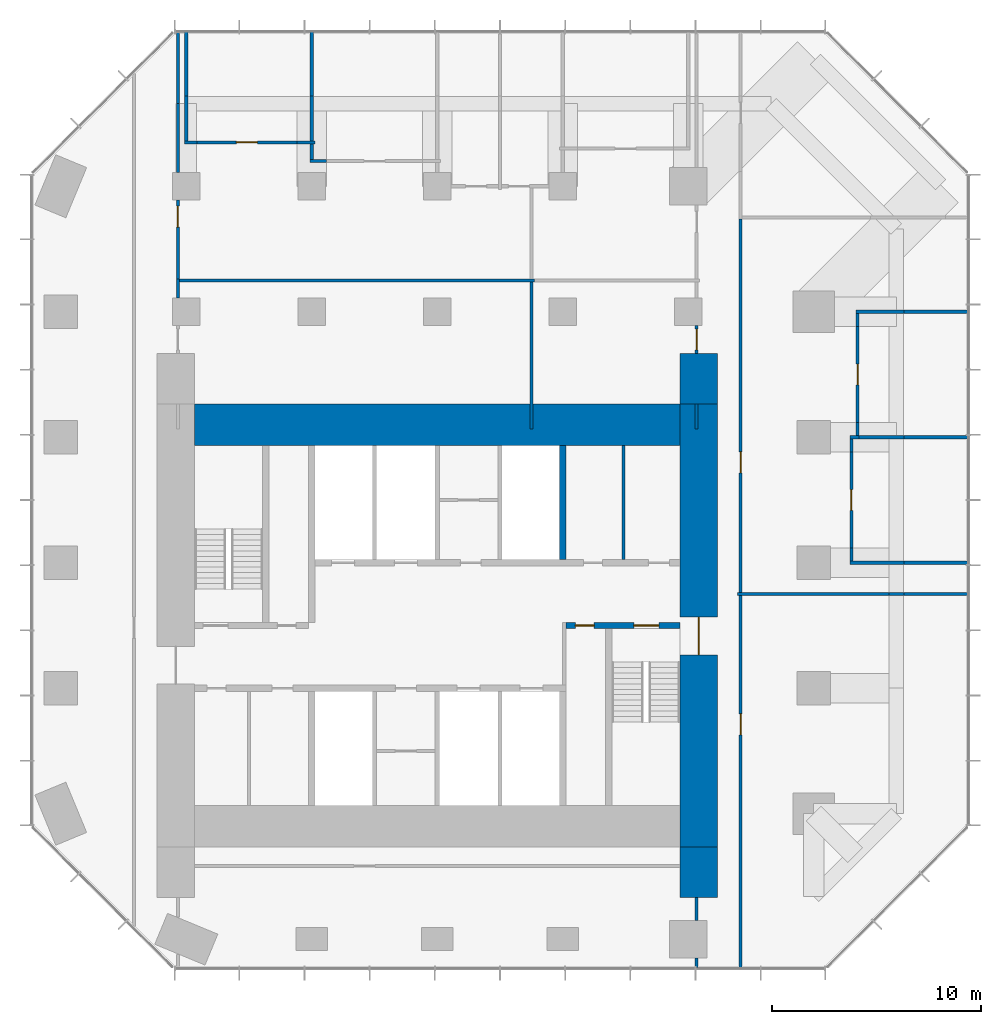
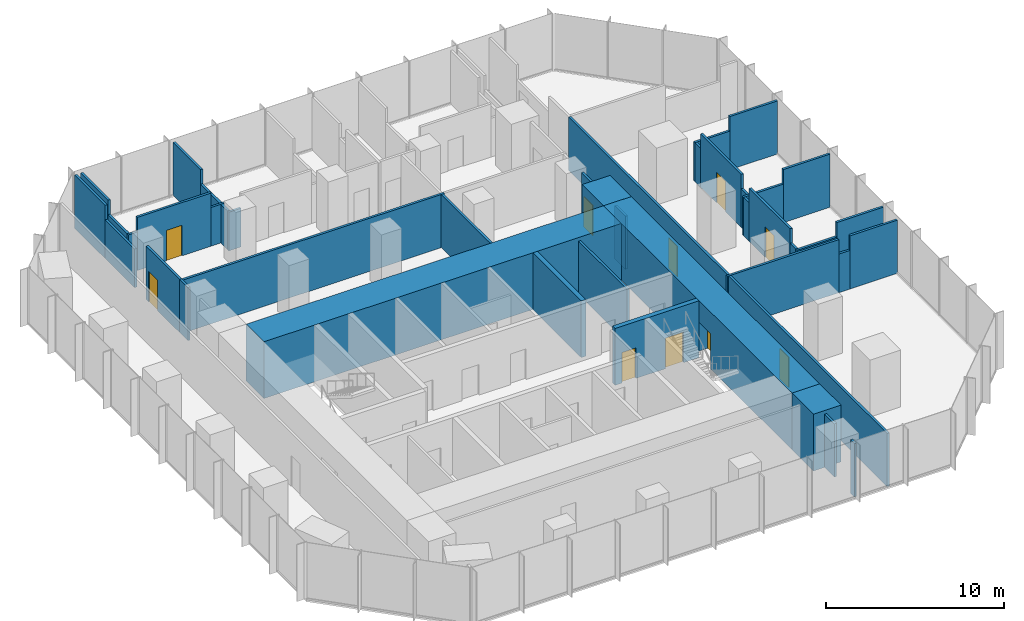
# One storey, part 9 of 11: 44 walls, 10 doors, 10 openings.
"""IFC4 building model written with IfcOpenShell, lengths in metres."""

from ifc_helpers import new_model, si_unit, direction, frame, frame_2d, origin, place, context, subcontext, project, spatial, rectangle, extrude, material, layer, layer_set, type_object, element, fill, save


model = new_model("IFC4")

# Units and contexts
model_context = context("Model", 3, precision=1e-05, world=origin(), true_north=direction((0.0, 1.0)))
body_context = subcontext(model_context, "Body", "Model", "MODEL_VIEW")
ifc_project = project(units=[si_unit("LENGTHUNIT", "METRE"), si_unit("AREAUNIT", "SQUARE_METRE"), si_unit("VOLUMEUNIT", "CUBIC_METRE"), si_unit("PLANEANGLEUNIT", "RADIAN"), si_unit("MASSUNIT", "GRAM", prefix="KILO")], contexts=[model_context])

# Site, building, storey
site_placement = place(None, origin())
site = spatial("IfcSite", under=ifc_project, at=site_placement, CompositionType="ELEMENT")
building_placement = place(site_placement, origin())
building = spatial("IfcBuilding", under=site, at=building_placement, Name="Highveld Stack Headquarters", CompositionType="ELEMENT")
storey_placement = place(building_placement, frame((0.0, 0.0, 181.10009765625)))
storey = spatial("IfcBuildingStorey", under=building, at=storey_placement, Name="L44", CompositionType="ELEMENT", Elevation=181.10009765625)

# Wall, opening, door
ifc_material_1 = material(Name="Concrete C60/75", Category="concrete")
ifc_layer_1 = layer(ifc_material_1, 1.800048828125)
ifc_layer_set_1 = layer_set([ifc_layer_1], Name="Concrete C60/75")
wall_type_1 = type_object("IfcWallType", Name="CORE WALL 1800 C60/75", PredefinedType="SHEAR", material=ifc_layer_set_1)
wall_1_placement = place(storey_placement, frame((18.5, -7.60009765625, 0.0), z_axis=(0.0, 0.0, 1.0), x_axis=(0.0, 1.0, 0.0)))
wall_1 = element("IfcWall", 1, at=wall_1_placement, inside=storey, type_object=wall_type_1, Name="Core wall E L44", PredefinedType="SHEAR", context=body_context, shape_type="SweptSolid", body=[
    extrude(rectangle(XDim=21.2001953125, YDim=1.800048828125, at=frame_2d((10.60009765625, 0.0))), origin(), (0.0, 0.0, 1.0), 3.89990234375),
])
opening_1_placement = place(wall_1_placement, frame((9.199951171875, 0.0, 0.0)))
opening_1 = element("IfcOpeningElement", 2, at=opening_1_placement, cuts=wall_1, Name="Opening L44-02", PredefinedType="OPENING", context=body_context, shape_type="SweptSolid", body=[
    extrude(rectangle(XDim=1.800048828125, YDim=2.39990234375, at=frame_2d((0.89990234375, 1.199951171875))), frame((0.0, 0.909912109375, 0.0), z_axis=(0.0, -1.0, 0.0), x_axis=(1.0, 0.0, 0.0)), (0.0, 0.0, 1.0), 1.820068359375),
])
ifc_material_2 = material(Name="Steel fire door", Category="steel")
door_type_1 = type_object("IfcDoorType", Name="LOBBY FIRE DOOR D4 1800x2400", OperationType="DOUBLE_DOOR_SINGLE_SWING", PredefinedType="DOOR", material=ifc_material_2)
door_1_placement = place(opening_1_placement, origin())
door_1 = element("IfcDoor", 3, at=door_1_placement, inside=storey, type_object=door_type_1, Name="Core east door L44", OperationType="DOUBLE_DOOR_SINGLE_SWING", OverallHeight=2.39990234375, OverallWidth=1.800048828125, PredefinedType="DOOR", context=body_context, shape_type="SweptSolid", body=[
    extrude(rectangle(XDim=1.800048828125, YDim=2.39990234375, at=frame_2d((0.89990234375, 1.199951171875))), frame((0.0, 0.02490234375, 0.0), z_axis=(0.0, -1.0, 0.0), x_axis=(1.0, 0.0, 0.0)), (0.0, 0.0, 1.0), 0.050048828125),
])
fill(opening_1, door_1)

# Wall
ifc_material_3 = material(Name="Concrete C60/75", Category="concrete")
ifc_layer_2 = layer(ifc_material_3, 2.0)
ifc_layer_set_2 = layer_set([ifc_layer_2], Name="Concrete C60/75")
wall_type_2 = type_object("IfcWallType", Name="CORE WALL 2000 C60/75", PredefinedType="SHEAR", material=ifc_layer_set_2)
wall_2_placement = place(storey_placement, frame((-5.60009765625, 12.60009765625, 0.0), z_axis=(0.0, 0.0, 1.0), x_axis=(1.0, 0.0, 0.0)))
element("IfcWall", 4, at=wall_2_placement, inside=storey, type_object=wall_type_2, Name="Core wall N L44", PredefinedType="SHEAR", context=body_context, shape_type="SweptSolid", body=[
    extrude(rectangle(XDim=23.2001953125, YDim=2.0, at=frame_2d((11.60009765625, 0.0))), origin(), (0.0, 0.0, 1.0), 3.89990234375),
])

# Wall, openings, doors
ifc_material_4 = material(Name="Concrete C60/75", Category="concrete")
ifc_layer_3 = layer(ifc_material_4, 0.300048828125)
ifc_layer_set_3 = layer_set([ifc_layer_3], Name="Concrete C60/75")
wall_type_3 = type_object("IfcWallType", Name="CORE WALL 300 C60/75", PredefinedType="SHEAR", material=ifc_layer_set_3)
wall_3_placement = place(storey_placement, frame((12.14990234375, 3.0, 0.0), z_axis=(0.0, 0.0, 1.0), x_axis=(1.0, 0.0, 0.0)))
wall_3 = element("IfcWall", 5, at=wall_3_placement, inside=storey, type_object=wall_type_3, Name="Core wall I-Y3E L44", PredefinedType="SHEAR", context=body_context, shape_type="SweptSolid", body=[
    extrude(rectangle(XDim=5.4501953125, YDim=0.300048828125, at=frame_2d((2.72509765625, 0.0))), origin(), (0.0, 0.0, 1.0), 3.89990234375),
])
opening_2_placement = place(wall_3_placement, frame((3.25, 0.0, 0.0)))
opening_2 = element("IfcOpeningElement", 6, at=opening_2_placement, cuts=wall_3, Name="Opening L44-05", PredefinedType="OPENING", context=body_context, shape_type="SweptSolid", body=[
    extrude(rectangle(XDim=1.199951171875, YDim=2.10009765625, at=frame_2d((0.60009765625, 1.050048828125))), frame((0.0, 0.159912109375, 0.0), z_axis=(0.0, -1.0, 0.0), x_axis=(1.0, 0.0, 0.0)), (0.0, 0.0, 1.0), 0.320068359375),
])
opening_3_placement = place(wall_3_placement, frame((0.449951171875, 0.0, 0.0)))
opening_3 = element("IfcOpeningElement", 7, at=opening_3_placement, cuts=wall_3, Name="Opening L44-06", PredefinedType="OPENING", context=body_context, shape_type="SweptSolid", body=[
    extrude(rectangle(XDim=0.89990234375, YDim=2.10009765625, at=frame_2d((0.449951171875, 1.050048828125))), frame((0.0, 0.159912109375, 0.0), z_axis=(0.0, -1.0, 0.0), x_axis=(1.0, 0.0, 0.0)), (0.0, 0.0, 1.0), 0.320068359375),
])
ifc_material_5 = material(Name="Steel fire door", Category="steel")
door_type_2 = type_object("IfcDoorType", Name="RISER ACCESS DOOR D5 900x2100", OperationType="SINGLE_SWING_LEFT", PredefinedType="DOOR", material=ifc_material_5)
door_2_placement = place(opening_3_placement, origin())
door_2 = element("IfcDoor", 8, at=door_2_placement, inside=storey, type_object=door_type_2, Name="Riser R2 door L44", OperationType="SINGLE_SWING_LEFT", OverallHeight=2.10009765625, OverallWidth=0.89990234375, PredefinedType="DOOR", context=body_context, shape_type="SweptSolid", body=[
    extrude(rectangle(XDim=0.89990234375, YDim=2.10009765625, at=frame_2d((0.449951171875, 1.050048828125))), frame((0.0, 0.02490234375, 0.0), z_axis=(0.0, -1.0, 0.0), x_axis=(1.0, 0.0, 0.0)), (0.0, 0.0, 1.0), 0.050048828125),
])
fill(opening_3, door_2)
ifc_material_6 = material(Name="Steel fire door", Category="steel")
door_type_3 = type_object("IfcDoorType", Name="STAIR FIRE DOOR D3 1200x2100", OperationType="SINGLE_SWING_LEFT", PredefinedType="DOOR", material=ifc_material_6)
door_3_placement = place(opening_2_placement, origin())
door_3 = element("IfcDoor", 9, at=door_3_placement, inside=storey, type_object=door_type_3, Name="Stair S2 door L44", OperationType="SINGLE_SWING_RIGHT", OverallHeight=2.10009765625, OverallWidth=1.199951171875, PredefinedType="DOOR", context=body_context, shape_type="SweptSolid", body=[
    extrude(rectangle(XDim=1.199951171875, YDim=2.10009765625, at=frame_2d((0.60009765625, 1.050048828125))), frame((0.0, 0.02490234375, 0.0), z_axis=(0.0, -1.0, 0.0), x_axis=(1.0, 0.0, 0.0)), (0.0, 0.0, 1.0), 0.050048828125),
])
fill(opening_2, door_3)

# Walls
wall_4_placement = place(storey_placement, frame((12.0, 6.14990234375, 0.0), z_axis=(0.0, 0.0, 1.0), x_axis=(0.0, 1.0, 0.0)))
element("IfcWall", 10, at=wall_4_placement, inside=storey, type_object=wall_type_3, Name="Core wall I-X12N L44", PredefinedType="SHEAR", context=body_context, shape_type="SweptSolid", body=[
    extrude(rectangle(XDim=5.4501953125, YDim=0.300048828125, at=frame_2d((2.72509765625, 0.0))), origin(), (0.0, 0.0, 1.0), 3.89990234375),
])
ifc_material_7 = material(Name="Concrete C60/75", Category="concrete")
ifc_layer_4 = layer(ifc_material_7, 1.800048828125)
ifc_layer_set_4 = layer_set([ifc_layer_4], Name="Concrete C60/75")
wall_type_4 = type_object("IfcWallType", Name="CORE WING WALL 1800 C60/75", PredefinedType="SHEAR", material=ifc_layer_set_4)
for number, where, z_axis, x_axis, name in (
    (11, (18.5, -10.0, 0.0), (0.0, 0.0, 1.0), (0.0, 1.0, 0.0), "Core wing wall ES L44"),
    (12, (18.5, 13.60009765625, 0.0), (0.0, 0.0, 1.0), (0.0, 1.0, 0.0), "Core wing wall EN L44"),
):
    element("IfcWall", number, at=place(storey_placement, frame(where, z_axis=z_axis, x_axis=x_axis)), inside=storey, type_object=wall_type_4, Name=name, PredefinedType="SHEAR", context=body_context, shape_type="SweptSolid", body=[
        extrude(rectangle(XDim=2.39990234375, YDim=1.800048828125, at=frame_2d((1.199951171875, 0.0))), origin(), (0.0, 0.0, 1.0), 3.89990234375),
    ])
ifc_material_8 = material(Name="Gypsum plasterboard on steel studs", Category="steel")
ifc_layer_5 = layer(ifc_material_8, 0.14990234375)
ifc_layer_set_5 = layer_set([ifc_layer_5], Name="Gypsum plasterboard on steel studs")
wall_type_5 = type_object("IfcWallType", Name="PARTITION 150 PLASTERBOARD", PredefinedType="PARTITIONING", material=ifc_layer_set_5)
wall_5_placement = place(storey_placement, frame((25.72509765625, 6.0, 0.0), z_axis=(0.0, 0.0, 1.0), x_axis=(1.0, 0.0, 0.0)))
element("IfcWall", 13, at=wall_5_placement, inside=storey, type_object=wall_type_5, Name="Partition Print room L44", PredefinedType="PARTITIONING", context=body_context, shape_type="SweptSolid", body=[
    extrude(rectangle(XDim=2.5849609375, YDim=0.14990234375, at=frame_2d((1.29248046875, 0.0))), origin(), (0.0, 0.0, 1.0), 2.64990234375),
])
wall_6_placement = place(storey_placement, frame((28.31005859375, 6.0, 0.0), z_axis=(0.0, 0.0, 1.0), x_axis=(1.0, 0.0, 0.0)))
element("IfcWall", 14, at=wall_6_placement, inside=storey, type_object=wall_type_5, Name="Partition Print room L44", PredefinedType="PARTITIONING", context=body_context, shape_type="SweptSolid", body=[
    extrude(rectangle(XDim=3.0400390625, YDim=0.14990234375, at=frame_2d((1.52001953125, 0.0))), origin(), (0.0, 0.0, 1.0), 3.64990234375),
])
wall_7_placement = place(storey_placement, frame((25.72509765625, 12.0, 0.0), z_axis=(0.0, 0.0, 1.0), x_axis=(1.0, 0.0, 0.0)))
element("IfcWall", 15, at=wall_7_placement, inside=storey, type_object=wall_type_5, Name="Partition Print room L44", PredefinedType="PARTITIONING", context=body_context, shape_type="SweptSolid", body=[
    extrude(rectangle(XDim=0.449951171875, YDim=0.14990234375, at=frame_2d((0.22509765625, 0.0))), origin(), (0.0, 0.0, 1.0), 2.64990234375),
])
wall_8_placement = place(storey_placement, frame((26.10009765625, 12.0, 0.0), z_axis=(0.0, 0.0, 1.0), x_axis=(1.0, 0.0, 0.0)))
element("IfcWall", 16, at=wall_8_placement, inside=storey, type_object=wall_type_5, Name="Partition Focus room / Print room L44", PredefinedType="PARTITIONING", context=body_context, shape_type="SweptSolid", body=[
    extrude(rectangle(XDim=2.2099609375, YDim=0.14990234375, at=frame_2d((1.10498046875, 0.0))), origin(), (0.0, 0.0, 1.0), 2.64990234375),
])
wall_9_placement = place(storey_placement, frame((28.31005859375, 12.0, 0.0), z_axis=(0.0, 0.0, 1.0), x_axis=(1.0, 0.0, 0.0)))
element("IfcWall", 17, at=wall_9_placement, inside=storey, type_object=wall_type_5, Name="Partition Focus room / Print room L44", PredefinedType="PARTITIONING", context=body_context, shape_type="SweptSolid", body=[
    extrude(rectangle(XDim=3.0400390625, YDim=0.14990234375, at=frame_2d((1.52001953125, 0.0))), origin(), (0.0, 0.0, 1.0), 3.64990234375),
])
wall_10_placement = place(storey_placement, frame((26.02490234375, 18.0, 0.0), z_axis=(0.0, 0.0, 1.0), x_axis=(1.0, 0.0, 0.0)))
element("IfcWall", 18, at=wall_10_placement, inside=storey, type_object=wall_type_5, Name="Partition Focus room L44", PredefinedType="PARTITIONING", context=body_context, shape_type="SweptSolid", body=[
    extrude(rectangle(XDim=2.28515625, YDim=0.14990234375, at=frame_2d((1.142578125, 0.0))), origin(), (0.0, 0.0, 1.0), 2.64990234375),
])
wall_11_placement = place(storey_placement, frame((28.31005859375, 18.0, 0.0), z_axis=(0.0, 0.0, 1.0), x_axis=(1.0, 0.0, 0.0)))
element("IfcWall", 19, at=wall_11_placement, inside=storey, type_object=wall_type_5, Name="Partition Focus room L44", PredefinedType="PARTITIONING", context=body_context, shape_type="SweptSolid", body=[
    extrude(rectangle(XDim=3.08984375, YDim=0.14990234375, at=frame_2d((1.544921875, 0.0))), origin(), (0.0, 0.0, 1.0), 3.64990234375),
])
wall_12_placement = place(storey_placement, frame((-0.074951171875, 25.199951171875, 0.0), z_axis=(0.0, 0.0, 1.0), x_axis=(1.0, 0.0, 0.0)))
element("IfcWall", 20, at=wall_12_placement, inside=storey, type_object=wall_type_5, Name="Partition Tea kitchen L44", PredefinedType="PARTITIONING", context=body_context, shape_type="SweptSolid", body=[
    extrude(rectangle(XDim=0.784912109375, YDim=0.14990234375, at=frame_2d((0.392578125, 0.0))), origin(), (0.0, 0.0, 1.0), 2.64990234375),
])
wall_13_placement = place(storey_placement, frame((-6.074951171875, 26.10009765625, 0.0), z_axis=(0.0, 0.0, 1.0), x_axis=(1.0, 0.0, 0.0)))
element("IfcWall", 21, at=wall_13_placement, inside=storey, type_object=wall_type_5, Name="Partition Focus room L44", PredefinedType="PARTITIONING", context=body_context, shape_type="SweptSolid", body=[
    extrude(rectangle(XDim=0.5849609375, YDim=0.14990234375, at=frame_2d((0.29248046875, 0.0))), origin(), (0.0, 0.0, 1.0), 2.64990234375),
])

# Wall, opening, door
wall_14_placement = place(storey_placement, frame((-5.489990234375, 26.10009765625, 0.0), z_axis=(0.0, 0.0, 1.0), x_axis=(1.0, 0.0, 0.0)))
wall_14 = element("IfcWall", 22, at=wall_14_placement, inside=storey, type_object=wall_type_5, Name="Partition Focus room L44", PredefinedType="PARTITIONING", context=body_context, shape_type="SweptSolid", body=[
    extrude(rectangle(XDim=4.780029296875, YDim=0.14990234375, at=frame_2d((2.39013671875, 0.0))), origin(), (0.0, 0.0, 1.0), 3.64990234375),
])
opening_4_placement = place(wall_14_placement, frame((1.889892578125, 0.0, 0.0)))
opening_4 = element("IfcOpeningElement", 23, at=opening_4_placement, cuts=wall_14, Name="Opening L44-17", PredefinedType="OPENING", context=body_context, shape_type="SweptSolid", body=[
    extrude(rectangle(XDim=1.0, YDim=2.10009765625, at=frame_2d((0.5, 1.050048828125))), frame((0.0, 0.0849609375, 0.0), z_axis=(0.0, -1.0, 0.0), x_axis=(1.0, 0.0, 0.0)), (0.0, 0.0, 1.0), 0.169921875),
])
ifc_material_9 = material(Name="Timber door, oiled ash", Category="wood")
door_type_4 = type_object("IfcDoorType", Name="ROOM DOOR D6 1000x2100", OperationType="SINGLE_SWING_LEFT", PredefinedType="DOOR", material=ifc_material_9)
door_4_placement = place(opening_4_placement, origin())
door_4 = element("IfcDoor", 24, at=door_4_placement, inside=storey, type_object=door_type_4, Name="Focus room door 1 L44", OperationType="SINGLE_SWING_LEFT", OverallHeight=2.10009765625, OverallWidth=1.0, PredefinedType="DOOR", context=body_context, shape_type="SweptSolid", body=[
    extrude(rectangle(XDim=1.0, YDim=2.10009765625, at=frame_2d((0.5, 1.050048828125))), frame((0.0, 0.02490234375, 0.0), z_axis=(0.0, -1.0, 0.0), x_axis=(1.0, 0.0, 0.0)), (0.0, 0.0, 1.0), 0.050048828125),
])
fill(opening_4, door_4)

# Walls
wall_15_placement = place(storey_placement, frame((-0.7099609375, 26.10009765625, 0.0), z_axis=(0.0, 0.0, 1.0), x_axis=(1.0, 0.0, 0.0)))
element("IfcWall", 25, at=wall_15_placement, inside=storey, type_object=wall_type_5, Name="Partition Focus room L44", PredefinedType="PARTITIONING", context=body_context, shape_type="SweptSolid", body=[
    extrude(rectangle(XDim=0.85986328125, YDim=0.14990234375, at=frame_2d((0.429931640625, 0.0))), origin(), (0.0, 0.0, 1.0), 2.64990234375),
])
wall_16_placement = place(storey_placement, frame((-6.0, 26.175048828125, 0.0), z_axis=(0.0, 0.0, 1.0), x_axis=(0.0, 1.0, 0.0)))
element("IfcWall", 26, at=wall_16_placement, inside=storey, type_object=wall_type_5, Name="Partition Focus room L44", PredefinedType="PARTITIONING", context=body_context, shape_type="SweptSolid", body=[
    extrude(rectangle(XDim=2.135009765625, YDim=0.14990234375, at=frame_2d((1.0673828125, 0.0))), origin(), (0.0, 0.0, 1.0), 2.64990234375),
])
wall_17_placement = place(storey_placement, frame((-6.0, 28.31005859375, 0.0), z_axis=(0.0, 0.0, 1.0), x_axis=(0.0, 1.0, 0.0)))
element("IfcWall", 27, at=wall_17_placement, inside=storey, type_object=wall_type_5, Name="Partition Focus room L44", PredefinedType="PARTITIONING", context=body_context, shape_type="SweptSolid", body=[
    extrude(rectangle(XDim=3.08984375, YDim=0.14990234375, at=frame_2d((1.544921875, 0.0))), origin(), (0.0, 0.0, 1.0), 3.64990234375),
])
wall_18_placement = place(storey_placement, frame((0.0, 25.27490234375, 0.0), z_axis=(0.0, 0.0, 1.0), x_axis=(0.0, 1.0, 0.0)))
element("IfcWall", 28, at=wall_18_placement, inside=storey, type_object=wall_type_5, Name="Partition Tea kitchen L44", PredefinedType="PARTITIONING", context=body_context, shape_type="SweptSolid", body=[
    extrude(rectangle(XDim=0.75, YDim=0.14990234375, at=frame_2d((0.375, 0.0))), origin(), (0.0, 0.0, 1.0), 2.64990234375),
])
wall_19_placement = place(storey_placement, frame((0.0, 26.175048828125, 0.0), z_axis=(0.0, 0.0, 1.0), x_axis=(0.0, 1.0, 0.0)))
element("IfcWall", 29, at=wall_19_placement, inside=storey, type_object=wall_type_5, Name="Partition Focus room / Tea kitchen L44", PredefinedType="PARTITIONING", context=body_context, shape_type="SweptSolid", body=[
    extrude(rectangle(XDim=2.135009765625, YDim=0.14990234375, at=frame_2d((1.0673828125, 0.0))), origin(), (0.0, 0.0, 1.0), 2.64990234375),
])
wall_20_placement = place(storey_placement, frame((0.0, 28.31005859375, 0.0), z_axis=(0.0, 0.0, 1.0), x_axis=(0.0, 1.0, 0.0)))
element("IfcWall", 30, at=wall_20_placement, inside=storey, type_object=wall_type_5, Name="Partition Focus room / Tea kitchen L44", PredefinedType="PARTITIONING", context=body_context, shape_type="SweptSolid", body=[
    extrude(rectangle(XDim=3.08984375, YDim=0.14990234375, at=frame_2d((1.544921875, 0.0))), origin(), (0.0, 0.0, 1.0), 3.64990234375),
])
wall_21_placement = place(storey_placement, frame((25.800048828125, 6.074951171875, 0.0), z_axis=(0.0, 0.0, 1.0), x_axis=(0.0, 1.0, 0.0)))
element("IfcWall", 31, at=wall_21_placement, inside=storey, type_object=wall_type_5, Name="Partition Print room L44", PredefinedType="PARTITIONING", context=body_context, shape_type="SweptSolid", body=[
    extrude(rectangle(XDim=0.635009765625, YDim=0.14990234375, at=frame_2d((0.3173828125, 0.0))), origin(), (0.0, 0.0, 1.0), 2.64990234375),
])

# Wall, opening, door
wall_22_placement = place(storey_placement, frame((25.800048828125, 6.7099609375, 0.0), z_axis=(0.0, 0.0, 1.0), x_axis=(0.0, 1.0, 0.0)))
wall_22 = element("IfcWall", 32, at=wall_22_placement, inside=storey, type_object=wall_type_5, Name="Partition Print room L44", PredefinedType="PARTITIONING", context=body_context, shape_type="SweptSolid", body=[
    extrude(rectangle(XDim=4.580078125, YDim=0.14990234375, at=frame_2d((2.2900390625, 0.0))), origin(), (0.0, 0.0, 1.0), 3.64990234375),
])
opening_5_placement = place(wall_22_placement, frame((1.7900390625, 0.0, 0.0)))
opening_5 = element("IfcOpeningElement", 33, at=opening_5_placement, cuts=wall_22, Name="Opening L44-15", PredefinedType="OPENING", context=body_context, shape_type="SweptSolid", body=[
    extrude(rectangle(XDim=1.0, YDim=2.10009765625, at=frame_2d((0.5, 1.050048828125))), frame((0.0, 0.0849609375, 0.0), z_axis=(0.0, -1.0, 0.0), x_axis=(1.0, 0.0, 0.0)), (0.0, 0.0, 1.0), 0.169921875),
])
door_5_placement = place(opening_5_placement, origin())
door_5 = element("IfcDoor", 34, at=door_5_placement, inside=storey, type_object=door_type_4, Name="Print room door 1 L44", OperationType="SINGLE_SWING_RIGHT", OverallHeight=2.10009765625, OverallWidth=1.0, PredefinedType="DOOR", context=body_context, shape_type="SweptSolid", body=[
    extrude(rectangle(XDim=1.0, YDim=2.10009765625, at=frame_2d((0.5, 1.050048828125))), frame((0.0, 0.02490234375, 0.0), z_axis=(0.0, -1.0, 0.0), x_axis=(1.0, 0.0, 0.0)), (0.0, 0.0, 1.0), 0.050048828125),
])
fill(opening_5, door_5)

# Walls
for number, where, z_axis, x_axis, name in (
    (35, (25.800048828125, 11.2900390625, 0.0), (0.0, 0.0, 1.0), (0.0, 1.0, 0.0), "Partition Print room L44"),
    (36, (26.10009765625, 12.074951171875, 0.0), (0.0, 0.0, 1.0), (0.0, 1.0, 0.0), "Partition Focus room L44"),
):
    element("IfcWall", number, at=place(storey_placement, frame(where, z_axis=z_axis, x_axis=x_axis)), inside=storey, type_object=wall_type_5, Name=name, PredefinedType="PARTITIONING", context=body_context, shape_type="SweptSolid", body=[
        extrude(rectangle(XDim=0.635009765625, YDim=0.14990234375, at=frame_2d((0.3173828125, 0.0))), origin(), (0.0, 0.0, 1.0), 2.64990234375),
    ])

# Wall, opening, door
wall_23_placement = place(storey_placement, frame((26.10009765625, 12.7099609375, 0.0), z_axis=(0.0, 0.0, 1.0), x_axis=(0.0, 1.0, 0.0)))
wall_23 = element("IfcWall", 37, at=wall_23_placement, inside=storey, type_object=wall_type_5, Name="Partition Focus room L44", PredefinedType="PARTITIONING", context=body_context, shape_type="SweptSolid", body=[
    extrude(rectangle(XDim=4.580078125, YDim=0.14990234375, at=frame_2d((2.2900390625, 0.0))), origin(), (0.0, 0.0, 1.0), 3.64990234375),
])
opening_6_placement = place(wall_23_placement, frame((1.7900390625, 0.0, 0.0)))
opening_6 = element("IfcOpeningElement", 38, at=opening_6_placement, cuts=wall_23, Name="Opening L44-16", PredefinedType="OPENING", context=body_context, shape_type="SweptSolid", body=[
    extrude(rectangle(XDim=1.0, YDim=2.10009765625, at=frame_2d((0.5, 1.050048828125))), frame((0.0, 0.0849609375, 0.0), z_axis=(0.0, -1.0, 0.0), x_axis=(1.0, 0.0, 0.0)), (0.0, 0.0, 1.0), 0.169921875),
])
door_6_placement = place(opening_6_placement, origin())
door_6 = element("IfcDoor", 39, at=door_6_placement, inside=storey, type_object=door_type_4, Name="Focus room door 1 L44", OperationType="SINGLE_SWING_RIGHT", OverallHeight=2.10009765625, OverallWidth=1.0, PredefinedType="DOOR", context=body_context, shape_type="SweptSolid", body=[
    extrude(rectangle(XDim=1.0, YDim=2.10009765625, at=frame_2d((0.5, 1.050048828125))), frame((0.0, 0.02490234375, 0.0), z_axis=(0.0, -1.0, 0.0), x_axis=(1.0, 0.0, 0.0)), (0.0, 0.0, 1.0), 0.050048828125),
])
fill(opening_6, door_6)

# Walls
wall_24_placement = place(storey_placement, frame((26.10009765625, 17.2900390625, 0.0), z_axis=(0.0, 0.0, 1.0), x_axis=(0.0, 1.0, 0.0)))
element("IfcWall", 40, at=wall_24_placement, inside=storey, type_object=wall_type_5, Name="Partition Focus room L44", PredefinedType="PARTITIONING", context=body_context, shape_type="SweptSolid", body=[
    extrude(rectangle(XDim=0.635009765625, YDim=0.14990234375, at=frame_2d((0.3173828125, 0.0))), origin(), (0.0, 0.0, 1.0), 2.64990234375),
])
wall_25_placement = place(storey_placement, frame((-6.39990234375, 18.64990234375, 0.0), z_axis=(0.0, 0.0, 1.0), x_axis=(0.0, 1.0, 0.0)))
element("IfcWall", 41, at=wall_25_placement, inside=storey, type_object=wall_type_5, Name="Partition office neighbourhood L44", PredefinedType="PARTITIONING", context=body_context, shape_type="SweptSolid", body=[
    extrude(rectangle(XDim=0.925048828125, YDim=0.14990234375, at=frame_2d((0.46240234375, 0.0))), origin(), (0.0, 0.0, 1.0), 3.64990234375),
])

# Wall, opening, door
wall_26_placement = place(storey_placement, frame((-6.39990234375, 19.5, 0.0), z_axis=(0.0, 0.0, 1.0), x_axis=(0.0, 1.0, 0.0)))
wall_26 = element("IfcWall", 42, at=wall_26_placement, inside=storey, type_object=wall_type_5, Name="Partition office neighbourhood L44", PredefinedType="PARTITIONING", context=body_context, shape_type="SweptSolid", body=[
    extrude(rectangle(XDim=3.85009765625, YDim=0.14990234375, at=frame_2d((1.925048828125, 0.0))), origin(), (0.0, 0.0, 1.0), 3.64990234375),
])
opening_7_placement = place(wall_26_placement, frame((2.550048828125, 0.0, 0.0)))
opening_7 = element("IfcOpeningElement", 43, at=opening_7_placement, cuts=wall_26, Name="Opening L44-25", PredefinedType="OPENING", context=body_context, shape_type="SweptSolid", body=[
    extrude(rectangle(XDim=1.0, YDim=2.10009765625, at=frame_2d((0.5, 1.050048828125))), frame((0.0, 0.0849609375, 0.0), z_axis=(0.0, -1.0, 0.0), x_axis=(1.0, 0.0, 0.0)), (0.0, 0.0, 1.0), 0.169921875),
])
door_7_placement = place(opening_7_placement, origin())
door_7 = element("IfcDoor", 44, at=door_7_placement, inside=storey, type_object=door_type_4, Name="Office neighbourhood door L44", OperationType="SINGLE_SWING_RIGHT", OverallHeight=2.10009765625, OverallWidth=1.0, PredefinedType="DOOR", context=body_context, shape_type="SweptSolid", body=[
    extrude(rectangle(XDim=1.0, YDim=2.10009765625, at=frame_2d((0.5, 1.050048828125))), frame((0.0, 0.02490234375, 0.0), z_axis=(0.0, -1.0, 0.0), x_axis=(1.0, 0.0, 0.0)), (0.0, 0.0, 1.0), 0.050048828125),
])
fill(opening_7, door_7)

# Walls
wall_27_placement = place(storey_placement, frame((-6.39990234375, 24.64990234375, 0.0), z_axis=(0.0, 0.0, 1.0), x_axis=(0.0, 1.0, 0.0)))
element("IfcWall", 45, at=wall_27_placement, inside=storey, type_object=wall_type_5, Name="Partition office neighbourhood L44", PredefinedType="PARTITIONING", context=body_context, shape_type="SweptSolid", body=[
    extrude(rectangle(XDim=3.31005859375, YDim=0.14990234375, at=frame_2d((1.655029296875, 0.0))), origin(), (0.0, 0.0, 1.0), 2.64990234375),
])
wall_28_placement = place(storey_placement, frame((-6.39990234375, 27.9599609375, 0.0), z_axis=(0.0, 0.0, 1.0), x_axis=(0.0, 1.0, 0.0)))
element("IfcWall", 46, at=wall_28_placement, inside=storey, type_object=wall_type_5, Name="Partition office neighbourhood L44", PredefinedType="PARTITIONING", context=body_context, shape_type="SweptSolid", body=[
    extrude(rectangle(XDim=3.43994140625, YDim=0.14990234375, at=frame_2d((1.719970703125, 0.0))), origin(), (0.0, 0.0, 1.0), 3.64990234375),
])
wall_29_placement = place(storey_placement, frame((-6.324951171875, 19.5, 0.0), z_axis=(0.0, 0.0, 1.0), x_axis=(1.0, 0.0, 0.0)))
element("IfcWall", 47, at=wall_29_placement, inside=storey, type_object=wall_type_5, Name="Partition office neighbourhood L44", PredefinedType="PARTITIONING", context=body_context, shape_type="SweptSolid", body=[
    extrude(rectangle(XDim=16.974853515625, YDim=0.14990234375, at=frame_2d((8.4873046875, 0.0))), origin(), (0.0, 0.0, 1.0), 3.64990234375),
])
wall_30_placement = place(storey_placement, frame((10.5, 12.39990234375, 0.0), z_axis=(0.0, 0.0, 1.0), x_axis=(0.0, 1.0, 0.0)))
element("IfcWall", 48, at=wall_30_placement, inside=storey, type_object=wall_type_5, Name="Partition office neighbourhood L44", PredefinedType="PARTITIONING", context=body_context, shape_type="SweptSolid", body=[
    extrude(rectangle(XDim=7.025146484375, YDim=0.14990234375, at=frame_2d((3.5126953125, 0.0))), origin(), (0.0, 0.0, 1.0), 3.64990234375),
])
wall_31_placement = place(storey_placement, frame((18.39990234375, -13.35009765625, 0.0), z_axis=(0.0, 0.0, 1.0), x_axis=(0.0, 1.0, 0.0)))
element("IfcWall", 49, at=wall_31_placement, inside=storey, type_object=wall_type_5, Name="Partition office neighbourhood L44", PredefinedType="PARTITIONING", context=body_context, shape_type="SweptSolid", body=[
    extrude(rectangle(XDim=0.4501953125, YDim=0.14990234375, at=frame_2d((0.22509765625, 0.0))), origin(), (0.0, 0.0, 1.0), 3.64990234375),
])
wall_32_placement = place(storey_placement, frame((18.39990234375, -11.10009765625, 0.0), z_axis=(0.0, 0.0, 1.0), x_axis=(0.0, 1.0, 0.0)))
element("IfcWall", 50, at=wall_32_placement, inside=storey, type_object=wall_type_5, Name="Partition office neighbourhood L44", PredefinedType="PARTITIONING", context=body_context, shape_type="SweptSolid", body=[
    extrude(rectangle(XDim=1.10009765625, YDim=0.14990234375, at=frame_2d((0.550048828125, 0.0))), origin(), (0.0, 0.0, 1.0), 3.64990234375),
])
wall_33_placement = place(storey_placement, frame((18.39990234375, 12.39990234375, 0.0), z_axis=(0.0, 0.0, 1.0), x_axis=(0.0, 1.0, 0.0)))
element("IfcWall", 51, at=wall_33_placement, inside=storey, type_object=wall_type_5, Name="Partition office neighbourhood L44", PredefinedType="PARTITIONING", context=body_context, shape_type="SweptSolid", body=[
    extrude(rectangle(XDim=1.2001953125, YDim=0.14990234375, at=frame_2d((0.60009765625, 0.0))), origin(), (0.0, 0.0, 1.0), 3.64990234375),
])

# Wall, opening, door
wall_34_placement = place(storey_placement, frame((18.39990234375, 16.0, 0.0), z_axis=(0.0, 0.0, 1.0), x_axis=(0.0, 1.0, 0.0)))
wall_34 = element("IfcWall", 52, at=wall_34_placement, inside=storey, type_object=wall_type_5, Name="Partition office neighbourhood L44", PredefinedType="PARTITIONING", context=body_context, shape_type="SweptSolid", body=[
    extrude(rectangle(XDim=1.35009765625, YDim=0.14990234375, at=frame_2d((0.675048828125, 0.0))), origin(), (0.0, 0.0, 1.0), 3.64990234375),
])
opening_8_placement = place(wall_34_placement, frame((0.175048828125, 0.0, 0.0)))
opening_8 = element("IfcOpeningElement", 53, at=opening_8_placement, cuts=wall_34, Name="Opening L44-29", PredefinedType="OPENING", context=body_context, shape_type="SweptSolid", body=[
    extrude(rectangle(XDim=1.0, YDim=2.10009765625, at=frame_2d((0.5, 1.050048828125))), frame((0.0, 0.0849609375, 0.0), z_axis=(0.0, -1.0, 0.0), x_axis=(1.0, 0.0, 0.0)), (0.0, 0.0, 1.0), 0.169921875),
])
door_8_placement = place(opening_8_placement, origin())
door_8 = element("IfcDoor", 54, at=door_8_placement, inside=storey, type_object=door_type_4, Name="Office neighbourhood door L44", OperationType="SINGLE_SWING_RIGHT", OverallHeight=2.10009765625, OverallWidth=1.0, PredefinedType="DOOR", context=body_context, shape_type="SweptSolid", body=[
    extrude(rectangle(XDim=1.0, YDim=2.10009765625, at=frame_2d((0.5, 1.050048828125))), frame((0.0, 0.02490234375, 0.0), z_axis=(0.0, -1.0, 0.0), x_axis=(1.0, 0.0, 0.0)), (0.0, 0.0, 1.0), 0.050048828125),
])
fill(opening_8, door_8)

wall_35_placement = place(storey_placement, frame((20.5, -13.39990234375, 0.0), z_axis=(0.0, 0.0, 1.0), x_axis=(0.0, 1.0, 0.0)))
wall_35 = element("IfcWall", 55, at=wall_35_placement, inside=storey, type_object=wall_type_5, Name="Partition office neighbourhood L44", PredefinedType="PARTITIONING", context=body_context, shape_type="SweptSolid", body=[
    extrude(rectangle(XDim=17.824951171875, YDim=0.14990234375, at=frame_2d((8.91259765625, 0.0))), origin(), (0.0, 0.0, 1.0), 3.64990234375),
])
opening_9_placement = place(wall_35_placement, frame((11.169921875, 0.0, 0.0)))
opening_9 = element("IfcOpeningElement", 56, at=opening_9_placement, cuts=wall_35, Name="Opening L44-22", PredefinedType="OPENING", context=body_context, shape_type="SweptSolid", body=[
    extrude(rectangle(XDim=1.0, YDim=2.10009765625, at=frame_2d((0.5, 1.050048828125))), frame((0.0, 0.0849609375, 0.0), z_axis=(0.0, -1.0, 0.0), x_axis=(1.0, 0.0, 0.0)), (0.0, 0.0, 1.0), 0.169921875),
])
door_9_placement = place(opening_9_placement, origin())
door_9 = element("IfcDoor", 57, at=door_9_placement, inside=storey, type_object=door_type_4, Name="Office neighbourhood door L44", OperationType="SINGLE_SWING_RIGHT", OverallHeight=2.10009765625, OverallWidth=1.0, PredefinedType="DOOR", context=body_context, shape_type="SweptSolid", body=[
    extrude(rectangle(XDim=1.0, YDim=2.10009765625, at=frame_2d((0.5, 1.050048828125))), frame((0.0, 0.02490234375, 0.0), z_axis=(0.0, -1.0, 0.0), x_axis=(1.0, 0.0, 0.0)), (0.0, 0.0, 1.0), 0.050048828125),
])
fill(opening_9, door_9)

wall_36_placement = place(storey_placement, frame((20.5, 4.574951171875, 0.0), z_axis=(0.0, 0.0, 1.0), x_axis=(0.0, 1.0, 0.0)))
wall_36 = element("IfcWall", 58, at=wall_36_placement, inside=storey, type_object=wall_type_5, Name="Partition office neighbourhood L44", PredefinedType="PARTITIONING", context=body_context, shape_type="SweptSolid", body=[
    extrude(rectangle(XDim=17.85009765625, YDim=0.14990234375, at=frame_2d((8.925048828125, 0.0))), origin(), (0.0, 0.0, 1.0), 3.64990234375),
])
opening_10_placement = place(wall_36_placement, frame((5.72509765625, 0.0, 0.0)))
opening_10 = element("IfcOpeningElement", 59, at=opening_10_placement, cuts=wall_36, Name="Opening L44-24", PredefinedType="OPENING", context=body_context, shape_type="SweptSolid", body=[
    extrude(rectangle(XDim=1.0, YDim=2.10009765625, at=frame_2d((0.5, 1.050048828125))), frame((0.0, 0.0849609375, 0.0), z_axis=(0.0, -1.0, 0.0), x_axis=(1.0, 0.0, 0.0)), (0.0, 0.0, 1.0), 0.169921875),
])
door_10_placement = place(opening_10_placement, origin())
door_10 = element("IfcDoor", 60, at=door_10_placement, inside=storey, type_object=door_type_4, Name="Office neighbourhood door L44", OperationType="SINGLE_SWING_LEFT", OverallHeight=2.10009765625, OverallWidth=1.0, PredefinedType="DOOR", context=body_context, shape_type="SweptSolid", body=[
    extrude(rectangle(XDim=1.0, YDim=2.10009765625, at=frame_2d((0.5, 1.050048828125))), frame((0.0, 0.02490234375, 0.0), z_axis=(0.0, -1.0, 0.0), x_axis=(1.0, 0.0, 0.0)), (0.0, 0.0, 1.0), 0.050048828125),
])
fill(opening_10, door_10)

# Walls
wall_37_placement = place(storey_placement, frame((20.35009765625, 4.5, 0.0), z_axis=(0.0, 0.0, 1.0), x_axis=(1.0, 0.0, 0.0)))
element("IfcWall", 61, at=wall_37_placement, inside=storey, type_object=wall_type_5, Name="Partition office neighbourhood L44", PredefinedType="PARTITIONING", context=body_context, shape_type="SweptSolid", body=[
    extrude(rectangle(XDim=7.239990234375, YDim=0.14990234375, at=frame_2d((3.6201171875, 0.0))), origin(), (0.0, 0.0, 1.0), 3.64990234375),
])
wall_38_placement = place(storey_placement, frame((27.590087890625, 4.5, 0.0), z_axis=(0.0, 0.0, 1.0), x_axis=(1.0, 0.0, 0.0)))
element("IfcWall", 62, at=wall_38_placement, inside=storey, type_object=wall_type_5, Name="Partition office neighbourhood L44", PredefinedType="PARTITIONING", context=body_context, shape_type="SweptSolid", body=[
    extrude(rectangle(XDim=0.719970703125, YDim=0.14990234375, at=frame_2d((0.35986328125, 0.0))), origin(), (0.0, 0.0, 1.0), 2.64990234375),
])
wall_39_placement = place(storey_placement, frame((28.31005859375, 4.5, 0.0), z_axis=(0.0, 0.0, 1.0), x_axis=(1.0, 0.0, 0.0)))
element("IfcWall", 63, at=wall_39_placement, inside=storey, type_object=wall_type_5, Name="Partition office neighbourhood L44", PredefinedType="PARTITIONING", context=body_context, shape_type="SweptSolid", body=[
    extrude(rectangle(XDim=3.08984375, YDim=0.14990234375, at=frame_2d((1.544921875, 0.0))), origin(), (0.0, 0.0, 1.0), 3.64990234375),
])
ifc_material_10 = material(Name="Concrete blockwork, tiled", Category="masonry")
ifc_layer_6 = layer(ifc_material_10, 0.14990234375)
ifc_layer_set_6 = layer_set([ifc_layer_6], Name="Concrete blockwork, tiled")
wall_type_6 = type_object("IfcWallType", Name="WC PARTITION 150", PredefinedType="PLUMBINGWALL", material=ifc_layer_set_6)
wall_40_placement = place(storey_placement, frame((14.89990234375, 6.14990234375, 0.0), z_axis=(0.0, 0.0, 1.0), x_axis=(0.0, 1.0, 0.0)))
element("IfcWall", 64, at=wall_40_placement, inside=storey, type_object=wall_type_6, Name="Toilet partition L44", PredefinedType="PLUMBINGWALL", context=body_context, shape_type="SweptSolid", body=[
    extrude(rectangle(XDim=5.4501953125, YDim=0.14990234375, at=frame_2d((2.72509765625, 0.0))), origin(), (0.0, 0.0, 1.0), 3.64990234375),
])

save(model, "model.ifc")
